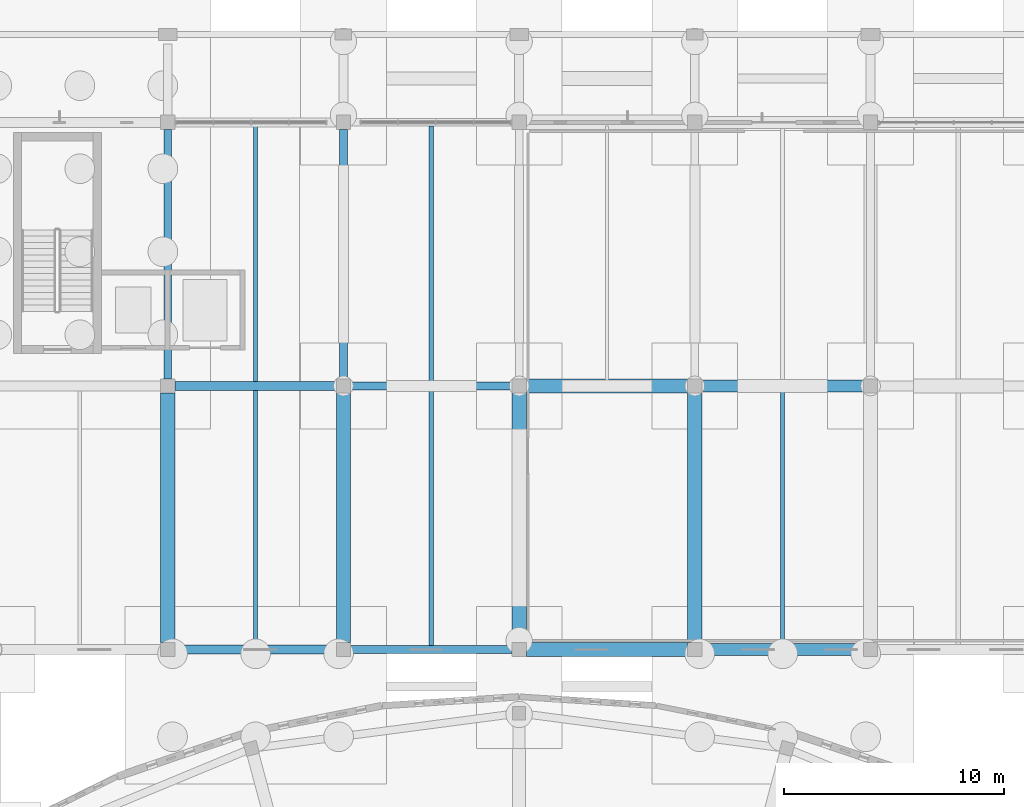
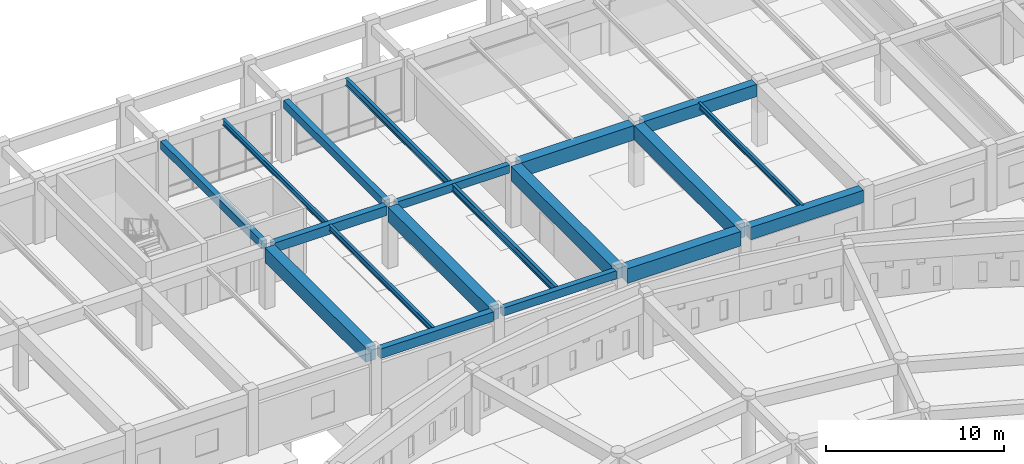
# One storey, part 30 of 84: 19 beams.
"""IFC4 building model written with IfcOpenShell, lengths in metres."""

from ifc_helpers import new_model, si_unit, direction, frame, origin, origin_2d, place, context, subcontext, project, spatial, rectangle, i_section, extrude, material, material_profile, profile_set, type_object, element, save


model = new_model("IFC4")

# Units and contexts
model_context = context("Model", 3, precision=1e-05, world=origin(), true_north=direction((0.0, 1.0)))
body_context = subcontext(model_context, "Body", "Model", "MODEL_VIEW")
ifc_project = project(units=[si_unit("LENGTHUNIT", "METRE"), si_unit("AREAUNIT", "SQUARE_METRE"), si_unit("VOLUMEUNIT", "CUBIC_METRE"), si_unit("PLANEANGLEUNIT", "RADIAN"), si_unit("MASSUNIT", "GRAM", prefix="KILO")], contexts=[model_context])

# Site, building, storey
site_placement = place(None, origin())
site = spatial("IfcSite", under=ifc_project, at=site_placement, CompositionType="ELEMENT")
building_placement = place(site_placement, origin())
building = spatial("IfcBuilding", under=site, at=building_placement, Name="Larkveld Mobility Hub", CompositionType="ELEMENT")
storey_placement = place(building_placement, origin())
storey = spatial("IfcBuildingStorey", under=building, at=storey_placement, Name="L00", CompositionType="ELEMENT", Elevation=0.0)

# Beams
ifc_material_1 = material(Name="Concrete C40/50", Category="concrete")
ifc_material_profile_1 = material_profile(ifc_material_1, rectangle(XDim=0.35009765625, YDim=0.550048828125, at=origin_2d()), Name="RC BM 350x550")
ifc_profile_set_1 = profile_set([ifc_material_profile_1], Name="Concrete C40/50")
beam_type_1 = type_object("IfcBeamType", Name="BM-RC3555", PredefinedType="BEAM", material=ifc_profile_set_1)
for number, where, z_axis, x_axis, name in (
    (1, (40.324951171875, 98.0, 3.985107421875), (1.0, 0.0, 0.0), (0.0, 1.0, 0.0), "Primary E-W Girder L00-0052"),
    (2, (40.324951171875, 110.0, 3.985107421875), (1.0, 0.0, 0.0), (0.0, 1.0, 0.0), "Primary E-W Girder L00-0072"),
):
    element("IfcBeam", number, at=place(storey_placement, frame(where, z_axis=z_axis, x_axis=x_axis)), inside=storey, type_object=beam_type_1, Name=name, PredefinedType="BEAM", context=body_context, shape_type="SweptSolid", body=[
        extrude(rectangle(XDim=0.35009765625, YDim=0.550048828125, at=origin_2d()), origin(), (0.0, 0.0, 1.0), 7.35009765625),
    ])
for number, where, z_axis, x_axis, name in (
    (3, (32.0, 110.324951171875, 3.985107421875), (0.0, 1.0, 0.0), (-1.0, 0.0, 0.0), "Primary N-S Girder L00-0127"),
    (4, (40.0, 110.324951171875, 3.985107421875), (0.0, 1.0, 0.0), (-1.0, 0.0, 0.0), "Primary N-S Girder L00-0130"),
):
    element("IfcBeam", number, at=place(storey_placement, frame(where, z_axis=z_axis, x_axis=x_axis)), inside=storey, type_object=beam_type_1, Name=name, PredefinedType="BEAM", context=body_context, shape_type="SweptSolid", body=[
        extrude(rectangle(XDim=0.35009765625, YDim=0.550048828125, at=origin_2d()), origin(), (0.0, 0.0, 1.0), 11.35009765625),
    ])
ifc_material_profile_2 = material_profile(ifc_material_1, rectangle(XDim=0.39990234375, YDim=0.64990234375, at=origin_2d()), Name="RC BM 400x650")
ifc_profile_set_2 = profile_set([ifc_material_profile_2], Name="Concrete C40/50")
beam_type_2 = type_object("IfcBeamType", Name="BM-RC4065", PredefinedType="BEAM", material=ifc_profile_set_2)
for number, where, z_axis, x_axis, name in (
    (5, (32.324951171875, 98.0, 3.93505859375), (1.0, 0.0, 0.0), (0.0, 1.0, 0.0), "Primary E-W Girder L00-0051"),
    (6, (32.324951171875, 110.0, 3.93505859375), (1.0, 0.0, 0.0), (0.0, 1.0, 0.0), "Primary E-W Girder L00-0071"),
):
    element("IfcBeam", number, at=place(storey_placement, frame(where, z_axis=z_axis, x_axis=x_axis)), inside=storey, type_object=beam_type_2, Name=name, PredefinedType="BEAM", context=body_context, shape_type="SweptSolid", body=[
        extrude(rectangle(XDim=0.39990234375, YDim=0.64990234375, at=origin_2d()), origin(), (0.0, 0.0, 1.0), 7.35009765625),
    ])
ifc_material_profile_3 = material_profile(ifc_material_1, rectangle(XDim=0.550048828125, YDim=0.85009765625, at=origin_2d()), Name="RC BM 550x850")
ifc_profile_set_3 = profile_set([ifc_material_profile_3], Name="Concrete C40/50")
beam_type_3 = type_object("IfcBeamType", Name="BM-RC5585", PredefinedType="BEAM", material=ifc_profile_set_3)
for number, where, z_axis, x_axis, name in (
    (7, (56.324951171875, 98.0, 3.8349609375), (1.0, 0.0, 0.0), (0.0, 1.0, 0.0), "Primary E-W Girder L00-0054"),
    (8, (56.324951171875, 110.0, 3.8349609375), (1.0, 0.0, 0.0), (0.0, 1.0, 0.0), "Primary E-W Girder L00-0074"),
):
    element("IfcBeam", number, at=place(storey_placement, frame(where, z_axis=z_axis, x_axis=x_axis)), inside=storey, type_object=beam_type_3, Name=name, PredefinedType="BEAM", context=body_context, shape_type="SweptSolid", body=[
        extrude(rectangle(XDim=0.550048828125, YDim=0.85009765625, at=origin_2d()), origin(), (0.0, 0.0, 1.0), 7.35009765625),
    ])
ifc_material_profile_4 = material_profile(ifc_material_1, rectangle(XDim=0.64990234375, YDim=1.0, at=origin_2d()), Name="RC BM 650x1000")
ifc_profile_set_4 = profile_set([ifc_material_profile_4], Name="Concrete C40/50")
beam_type_4 = type_object("IfcBeamType", Name="BM-RC65100", PredefinedType="BEAM", material=ifc_profile_set_4)
for number, where, z_axis, x_axis, name in (
    (9, (48.324951171875, 98.0, 3.760009765625), (1.0, 0.0, 0.0), (0.0, 1.0, 0.0), "Primary E-W Girder L00-0053"),
    (10, (48.324951171875, 110.0, 3.760009765625), (1.0, 0.0, 0.0), (0.0, 1.0, 0.0), "Primary E-W Girder L00-0073"),
):
    element("IfcBeam", number, at=place(storey_placement, frame(where, z_axis=z_axis, x_axis=x_axis)), inside=storey, type_object=beam_type_4, Name=name, PredefinedType="BEAM", context=body_context, shape_type="SweptSolid", body=[
        extrude(rectangle(XDim=0.64990234375, YDim=1.0, at=origin_2d()), origin(), (0.0, 0.0, 1.0), 7.35009765625),
    ])
for number, where, z_axis, x_axis, name in (
    (11, (32.0, 98.324951171875, 3.760009765625), (0.0, 1.0, 0.0), (-1.0, 0.0, 0.0), "Primary N-S Girder L00-0127"),
    (12, (40.0, 98.324951171875, 3.760009765625), (0.0, 1.0, 0.0), (-1.0, 0.0, 0.0), "Primary N-S Girder L00-0129"),
    (13, (48.0, 98.324951171875, 3.760009765625), (0.0, 1.0, 0.0), (-1.0, 0.0, 0.0), "Primary N-S Girder L00-0132"),
    (14, (56.0, 98.324951171875, 3.760009765625), (0.0, 1.0, 0.0), (-1.0, 0.0, 0.0), "Primary N-S Girder L00-0135"),
):
    element("IfcBeam", number, at=place(storey_placement, frame(where, z_axis=z_axis, x_axis=x_axis)), inside=storey, type_object=beam_type_4, Name=name, PredefinedType="BEAM", context=body_context, shape_type="SweptSolid", body=[
        extrude(rectangle(XDim=0.64990234375, YDim=1.0, at=origin_2d()), origin(), (0.0, 0.0, 1.0), 11.35009765625),
    ])
ifc_material_2 = material(Name="Steel S355JR", Category="steel")
ifc_material_profile_5 = material_profile(ifc_material_2, i_section(OverallWidth=0.179931640625, OverallDepth=0.39990234375, WebThickness=0.008544921875, FlangeThickness=0.013427734375, FilletRadius=0.02099609375, at=origin_2d()), Name="IPE 400")
ifc_profile_set_5 = profile_set([ifc_material_profile_5], Name="Steel S355JR")
beam_type_5 = type_object("IfcBeamType", Name="BM-STIPE400", PredefinedType="BEAM", material=ifc_profile_set_5)
for number, where, z_axis, x_axis, name in (
    (15, (36.0, 98.169921875, 4.070068359375), (0.0, 1.0, 0.0), (-1.0, 0.0, 0.0), "Bicycle Hall Secondary Beam L00-1167"),
    (16, (36.0, 110.169921875, 4.070068359375), (0.0, 1.0, 0.0), (-1.0, 0.0, 0.0), "Bicycle Hall Secondary Beam L00-1168"),
    (17, (60.0, 98.169921875, 4.070068359375), (0.0, 1.0, 0.0), (-1.0, 0.0, 0.0), "Bicycle Hall Secondary Beam L00-1172"),
):
    element("IfcBeam", number, at=place(storey_placement, frame(where, z_axis=z_axis, x_axis=x_axis)), inside=storey, type_object=beam_type_5, Name=name, PredefinedType="BEAM", context=body_context, shape_type="SweptSolid", body=[
        extrude(i_section(OverallWidth=0.179931640625, OverallDepth=0.39990234375, WebThickness=0.008544921875, FlangeThickness=0.013427734375, FilletRadius=0.02099609375, at=origin_2d()), origin(), (0.0, 0.0, 1.0), 11.66015625),
    ])
ifc_material_profile_6 = material_profile(ifc_material_2, i_section(OverallWidth=0.199951171875, OverallDepth=0.5, WebThickness=0.01025390625, FlangeThickness=0.01611328125, FilletRadius=0.02099609375, at=origin_2d()), Name="IPE 500")
ifc_profile_set_6 = profile_set([ifc_material_profile_6], Name="Steel S355JR")
beam_type_6 = type_object("IfcBeamType", Name="BM-STIPE500", PredefinedType="BEAM", material=ifc_profile_set_6)
for number, where, z_axis, x_axis, name in (
    (18, (44.0, 98.169921875, 4.02001953125), (0.0, 1.0, 0.0), (-1.0, 0.0, 0.0), "Bicycle Hall Secondary Beam L00-1169"),
    (19, (44.0, 110.169921875, 4.02001953125), (0.0, 1.0, 0.0), (-1.0, 0.0, 0.0), "Bicycle Hall Secondary Beam L00-1170"),
):
    element("IfcBeam", number, at=place(storey_placement, frame(where, z_axis=z_axis, x_axis=x_axis)), inside=storey, type_object=beam_type_6, Name=name, PredefinedType="BEAM", context=body_context, shape_type="SweptSolid", body=[
        extrude(i_section(OverallWidth=0.199951171875, OverallDepth=0.5, WebThickness=0.01025390625, FlangeThickness=0.01611328125, FilletRadius=0.02099609375, at=origin_2d()), origin(), (0.0, 0.0, 1.0), 11.66015625),
    ])

save(model, "model.ifc")
